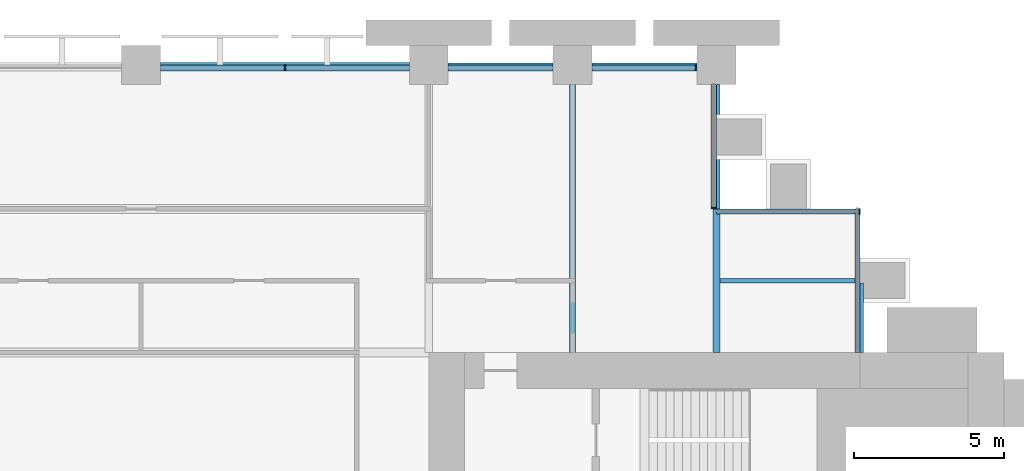
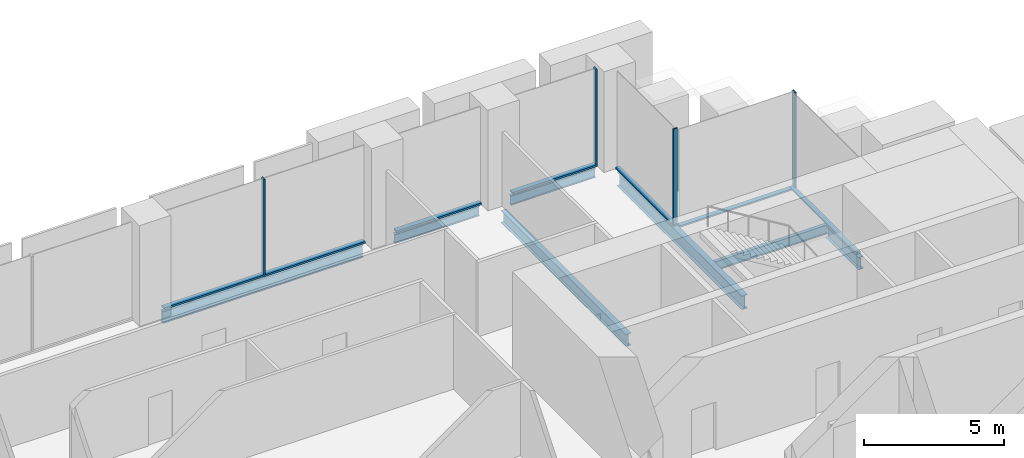
# One storey, part 7 of 14: 10 members, 7 beams, 4 elements without a shape of their own.
"""IFC4 building model written with IfcOpenShell, lengths in metres."""

from ifc_helpers import new_model, si_unit, direction, frame, origin, origin_2d, place, context, subcontext, project, spatial, rectangle, i_section, extrude, material, material_profile, profile_set, type_object, element, aggregate, save


model = new_model("IFC4")

# Units and contexts
model_context = context("Model", 3, precision=1e-05, world=origin(), true_north=direction((0.0, 1.0)))
body_context = subcontext(model_context, "Body", "Model", "MODEL_VIEW")
ifc_project = project(units=[si_unit("LENGTHUNIT", "METRE"), si_unit("AREAUNIT", "SQUARE_METRE"), si_unit("VOLUMEUNIT", "CUBIC_METRE"), si_unit("PLANEANGLEUNIT", "RADIAN"), si_unit("MASSUNIT", "GRAM", prefix="KILO")], contexts=[model_context])

# Site, building, storey
site_placement = place(None, origin())
site = spatial("IfcSite", under=ifc_project, at=site_placement, CompositionType="ELEMENT")
building_placement = place(site_placement, origin())
building = spatial("IfcBuilding", under=site, at=building_placement, Name="Baori Bourse Tower", CompositionType="ELEMENT")
storey_placement = place(building_placement, frame((0.0, 0.0, 30.199951171875)))
storey = spatial("IfcBuildingStorey", under=building, at=storey_placement, Name="L05", CompositionType="ELEMENT", Elevation=30.199951171875)

# Curtain wall, members
ifc_material_1 = material(Name="Pale anodised aluminium", Category="aluminium")
curtain_wall_type_1 = type_object("IfcCurtainWallType", Name="CW1 Curtain wall", PredefinedType="NOTDEFINED", material=ifc_material_1)
curtain_wall_1_placement = place(storey_placement, origin())
curtain_wall_1 = element("IfcCurtainWall", 1, at=curtain_wall_1_placement, inside=storey, type_object=curtain_wall_type_1, Name="Curtain wall CW1 L05 4", PredefinedType="NOTDEFINED")
ifc_material_2 = material(Name="Pale anodised aluminium", Category="aluminium")
ifc_material_profile_1 = material_profile(ifc_material_2, rectangle(XDim=0.199951171875, YDim=0.06005859375, at=origin_2d()), Name="Mullion 60x200")
ifc_profile_set_1 = profile_set([ifc_material_profile_1], Name="Pale anodised aluminium")
member_type_1 = type_object("IfcMemberType", Name="CW1 Curtain wall mullion", PredefinedType="MULLION", material=ifc_profile_set_1)
member_1_placement = place(storey_placement, frame((47.320068359375, 47.89990234375, 0.080078125), z_axis=(0.0, 0.0, 1.0), x_axis=(0.0, -1.0, 0.0)))
member_1 = element("IfcMember", 2, at=member_1_placement, type_object=member_type_1, Name="Curtain wall CW1 mullion", PredefinedType="MULLION", context=body_context, shape_type="SweptSolid", body=[
    extrude(rectangle(XDim=0.199951171875, YDim=0.06005859375, at=origin_2d()), origin(), (0.0, 0.0, 1.0), 4.159912109375),
])
member_2_placement = place(storey_placement, frame((33.60009765625, 47.89990234375, 0.080078125), z_axis=(0.0, 0.0, 1.0), x_axis=(0.0, -1.0, 0.0)))
member_2 = element("IfcMember", 3, at=member_2_placement, type_object=member_type_1, Name="Curtain wall CW1 mullion", PredefinedType="MULLION", context=body_context, shape_type="SweptSolid", body=[
    extrude(rectangle(XDim=0.199951171875, YDim=0.06005859375, at=origin_2d()), origin(), (0.0, 0.0, 1.0), 4.159912109375),
])
ifc_material_3 = material(Name="Pale anodised aluminium", Category="aluminium")
ifc_material_profile_2 = material_profile(ifc_material_3, rectangle(XDim=0.199951171875, YDim=0.080078125, at=origin_2d()), Name="Transom 80x200")
ifc_profile_set_2 = profile_set([ifc_material_profile_2], Name="Pale anodised aluminium")
member_type_2 = type_object("IfcMemberType", Name="CW1 Curtain wall transom", PredefinedType="USERDEFINED", material=ifc_profile_set_2)
member_3_placement = place(storey_placement, frame((47.35009765625, 47.89990234375, 0.0400390625), z_axis=(-1.0, 0.0, 0.0), x_axis=(0.0, -1.0, 0.0)))
member_3 = element("IfcMember", 4, at=member_3_placement, type_object=member_type_2, Name="Curtain wall CW1 sill rail", ObjectType="TRANSOM", PredefinedType="USERDEFINED", context=body_context, shape_type="SweptSolid", body=[
    extrude(rectangle(XDim=0.199951171875, YDim=0.080078125, at=origin_2d()), origin(), (0.0, 0.0, 1.0), 3.5),
])
member_4_placement = place(storey_placement, frame((42.550048828125, 47.89990234375, 0.0400390625), z_axis=(-1.0, 0.0, 0.0), x_axis=(0.0, -1.0, 0.0)))
member_4 = element("IfcMember", 5, at=member_4_placement, type_object=member_type_2, Name="Curtain wall CW1 sill rail", ObjectType="TRANSOM", PredefinedType="USERDEFINED", context=body_context, shape_type="SweptSolid", body=[
    extrude(rectangle(XDim=0.199951171875, YDim=0.080078125, at=origin_2d()), origin(), (0.0, 0.0, 1.0), 3.5),
])
member_5_placement = place(storey_placement, frame((37.75, 47.89990234375, 0.0400390625), z_axis=(-1.0, 0.0, 0.0), x_axis=(0.0, -1.0, 0.0)))
member_5 = element("IfcMember", 6, at=member_5_placement, type_object=member_type_2, Name="Curtain wall CW1 sill rail", ObjectType="TRANSOM", PredefinedType="USERDEFINED", context=body_context, shape_type="SweptSolid", body=[
    extrude(rectangle(XDim=0.199951171875, YDim=0.080078125, at=origin_2d()), origin(), (0.0, 0.0, 1.0), 8.300048828125),
])
aggregate(curtain_wall_1, [member_3, member_1, member_4, member_5, member_2])

# Curtain wall, member
ifc_material_4 = material(Name="Pale anodised aluminium", Category="aluminium")
curtain_wall_type_2 = type_object("IfcCurtainWallType", Name="CW2 Curtain wall", PredefinedType="NOTDEFINED", material=ifc_material_4)
curtain_wall_2_placement = place(storey_placement, origin())
curtain_wall_2 = element("IfcCurtainWall", 7, at=curtain_wall_2_placement, inside=storey, type_object=curtain_wall_type_2, Name="Curtain wall CW2 L05 2", PredefinedType="NOTDEFINED")
ifc_material_5 = material(Name="Pale anodised aluminium", Category="aluminium")
ifc_material_profile_3 = material_profile(ifc_material_5, rectangle(XDim=0.179931640625, YDim=0.054931640625, at=origin_2d()), Name="Mullion 55x180")
ifc_profile_set_3 = profile_set([ifc_material_profile_3], Name="Pale anodised aluminium")
member_type_3 = type_object("IfcMemberType", Name="CW2 Curtain wall mullion", PredefinedType="MULLION", material=ifc_profile_set_3)
member_6_placement = place(storey_placement, frame((52.7724609375, 43.110107421875, 0.070068359375), z_axis=(0.0, 0.0, 1.0), x_axis=(0.0, -1.0, 0.0)))
member_6 = element("IfcMember", 8, at=member_6_placement, type_object=member_type_3, Name="Curtain wall CW2 mullion", PredefinedType="MULLION", context=body_context, shape_type="SweptSolid", body=[
    extrude(rectangle(XDim=0.179931640625, YDim=0.054931640625, at=origin_2d()), origin(), (0.0, 0.0, 1.0), 4.169921875),
])

curtain_wall_3_placement = place(storey_placement, origin())
curtain_wall_3 = element("IfcCurtainWall", 9, at=curtain_wall_3_placement, inside=storey, type_object=curtain_wall_type_2, Name="Curtain wall CW2 L05 3", PredefinedType="NOTDEFINED")
member_7_placement = place(storey_placement, frame((47.909912109375, 43.2275390625, 0.070068359375), z_axis=(0.0, 0.0, 1.0), x_axis=(-1.0, 0.0, 0.0)))
member_7 = element("IfcMember", 10, at=member_7_placement, type_object=member_type_3, Name="Curtain wall CW2 mullion", PredefinedType="MULLION", context=body_context, shape_type="SweptSolid", body=[
    extrude(rectangle(XDim=0.179931640625, YDim=0.054931640625, at=origin_2d()), origin(), (0.0, 0.0, 1.0), 4.169921875),
])

curtain_wall_4_placement = place(storey_placement, origin())
curtain_wall_4 = element("IfcCurtainWall", 11, at=curtain_wall_4_placement, inside=storey, type_object=curtain_wall_type_2, Name="Curtain wall CW2 L05 1", PredefinedType="NOTDEFINED")
ifc_material_6 = material(Name="Pale anodised aluminium", Category="aluminium")
ifc_material_profile_4 = material_profile(ifc_material_6, rectangle(XDim=0.179931640625, YDim=0.070068359375, at=origin_2d()), Name="Transom 70x180")
ifc_profile_set_4 = profile_set([ifc_material_profile_4], Name="Pale anodised aluminium")
member_type_4 = type_object("IfcMemberType", Name="CW2 Curtain wall transom", PredefinedType="USERDEFINED", material=ifc_profile_set_4)
member_8_placement = place(storey_placement, frame((52.7099609375, 38.39990234375, 0.03515625), z_axis=(0.0, 1.0, 0.0), x_axis=(-1.0, 0.0, 0.0)))
member_8 = element("IfcMember", 12, at=member_8_placement, type_object=member_type_4, Name="Curtain wall CW2 sill rail", ObjectType="TRANSOM", PredefinedType="USERDEFINED", context=body_context, shape_type="SweptSolid", body=[
    extrude(rectangle(XDim=0.179931640625, YDim=0.070068359375, at=origin_2d()), origin(), (0.0, 0.0, 1.0), 4.800048828125),
])
aggregate(curtain_wall_4, [member_8])

# Member
member_9_placement = place(storey_placement, frame((52.800048828125, 43.110107421875, 0.03515625), z_axis=(-1.0, 0.0, 0.0), x_axis=(0.0, -1.0, 0.0)))
member_9 = element("IfcMember", 13, at=member_9_placement, type_object=member_type_4, Name="Curtain wall CW2 sill rail", ObjectType="TRANSOM", PredefinedType="USERDEFINED", context=body_context, shape_type="SweptSolid", body=[
    extrude(rectangle(XDim=0.179931640625, YDim=0.070068359375, at=origin_2d()), origin(), (0.0, 0.0, 1.0), 4.800048828125),
])

aggregate(curtain_wall_2, [member_9, member_6])

member_10_placement = place(storey_placement, frame((47.909912109375, 43.199951171875, 0.03515625), z_axis=(0.0, 1.0, 0.0), x_axis=(-1.0, 0.0, 0.0)))
member_10 = element("IfcMember", 14, at=member_10_placement, type_object=member_type_4, Name="Curtain wall CW2 sill rail", ObjectType="TRANSOM", PredefinedType="USERDEFINED", context=body_context, shape_type="SweptSolid", body=[
    extrude(rectangle(XDim=0.179931640625, YDim=0.070068359375, at=origin_2d()), origin(), (0.0, 0.0, 1.0), 4.150146484375),
])

aggregate(curtain_wall_3, [member_10, member_7])

# Beams
ifc_material_7 = material(Name="Steel A992 Gr 50", Category="steel")
ifc_material_profile_5 = material_profile(ifc_material_7, i_section(OverallWidth=0.21240234375, OverallDepth=0.54345703125, WebThickness=0.01318359375, FlangeThickness=0.021240234375, at=origin_2d()), Name="W21x83")
ifc_profile_set_5 = profile_set([ifc_material_profile_5], Name="Steel A992 Gr 50")
beam_type_1 = type_object("IfcBeamType", Name="Core bracket W21x83", PredefinedType="BEAM", material=ifc_profile_set_5)
beam_1_placement = place(storey_placement, frame((52.800048828125, 38.39990234375, -0.431640625), z_axis=(0.0, 1.0, 0.0), x_axis=(-1.0, 0.0, 0.0)))
element("IfcBeam", 15, at=beam_1_placement, inside=storey, type_object=beam_type_1, Name="Core bracket L05", PredefinedType="BEAM", context=body_context, shape_type="SweptSolid", body=[
    extrude(i_section(OverallWidth=0.21240234375, OverallDepth=0.54345703125, WebThickness=0.01318359375, FlangeThickness=0.021240234375, at=origin_2d()), origin(), (0.0, 0.0, 1.0), 2.329833984375),
])
ifc_material_8 = material(Name="Steel A992 Gr 50", Category="steel")
ifc_material_profile_6 = material_profile(ifc_material_8, i_section(OverallWidth=0.140380859375, OverallDepth=0.40380859375, WebThickness=0.007080078125, FlangeThickness=0.01123046875, at=origin_2d()), Name="W16x31")
ifc_profile_set_6 = profile_set([ifc_material_profile_6], Name="Steel A992 Gr 50")
beam_type_2 = type_object("IfcBeamType", Name="Edge beam W16x31", PredefinedType="BEAM", material=ifc_profile_set_6)
for number, where, z_axis, x_axis, name in (
    (16, (39.050048828125, 48.0, -0.36181640625), (1.0, 0.0, 0.0), (0.0, 1.0, 0.0), "Edge beam L05"),
    (17, (43.85009765625, 48.0, -0.36181640625), (1.0, 0.0, 0.0), (0.0, 1.0, 0.0), "Edge beam L05"),
):
    element("IfcBeam", number, at=place(storey_placement, frame(where, z_axis=z_axis, x_axis=x_axis)), inside=storey, type_object=beam_type_2, Name=name, PredefinedType="BEAM", context=body_context, shape_type="SweptSolid", body=[
        extrude(i_section(OverallWidth=0.140380859375, OverallDepth=0.40380859375, WebThickness=0.007080078125, FlangeThickness=0.01123046875, at=origin_2d()), origin(), (0.0, 0.0, 1.0), 3.5),
    ])
ifc_material_9 = material(Name="Steel A992 Gr 50", Category="steel")
ifc_material_profile_7 = material_profile(ifc_material_9, i_section(OverallWidth=0.1650390625, OverallDepth=0.52587890625, WebThickness=0.0087890625, FlangeThickness=0.011474609375, at=origin_2d()), Name="W21x44")
ifc_profile_set_7 = profile_set([ifc_material_profile_7], Name="Steel A992 Gr 50")
beam_type_3 = type_object("IfcBeamType", Name="Edge beam W21x44", PredefinedType="BEAM", material=ifc_profile_set_7)
beam_2_placement = place(storey_placement, frame((29.449951171875, 48.0, -0.4228515625), z_axis=(1.0, 0.0, 0.0), x_axis=(0.0, 1.0, 0.0)))
element("IfcBeam", 18, at=beam_2_placement, inside=storey, type_object=beam_type_3, Name="Edge beam L05", PredefinedType="BEAM", context=body_context, shape_type="SweptSolid", body=[
    extrude(i_section(OverallWidth=0.1650390625, OverallDepth=0.52587890625, WebThickness=0.0087890625, FlangeThickness=0.011474609375, at=origin_2d()), origin(), (0.0, 0.0, 1.0), 8.300048828125),
])
ifc_material_10 = material(Name="Steel A992 Gr 50", Category="steel")
ifc_material_profile_8 = material_profile(ifc_material_10, i_section(OverallWidth=0.209228515625, OverallDepth=0.533447265625, WebThickness=0.01025390625, FlangeThickness=0.015625, at=origin_2d()), Name="W21x62")
ifc_profile_set_8 = profile_set([ifc_material_profile_8], Name="Steel A992 Gr 50")
beam_type_4 = type_object("IfcBeamType", Name="Floor beam W21x62", PredefinedType="BEAM", material=ifc_profile_set_8)
beam_3_placement = place(storey_placement, frame((43.199951171875, 38.39990234375, -0.4267578125), z_axis=(0.0, 1.0, 0.0), x_axis=(-1.0, 0.0, 0.0)))
element("IfcBeam", 19, at=beam_3_placement, inside=storey, type_object=beam_type_4, Name="Floor beam L05", PredefinedType="BEAM", context=body_context, shape_type="SweptSolid", body=[
    extrude(i_section(OverallWidth=0.209228515625, OverallDepth=0.533447265625, WebThickness=0.01025390625, FlangeThickness=0.015625, at=origin_2d()), origin(), (0.0, 0.0, 1.0), 8.9501953125),
])
ifc_material_11 = material(Name="Steel A992 Gr 50", Category="steel")
ifc_material_profile_9 = material_profile(ifc_material_11, i_section(OverallWidth=0.227783203125, OverallDepth=0.60205078125, WebThickness=0.010498046875, FlangeThickness=0.014892578125, at=origin_2d()), Name="W24x68")
ifc_profile_set_9 = profile_set([ifc_material_profile_9], Name="Steel A992 Gr 50")
beam_type_5 = type_object("IfcBeamType", Name="Floor beam W24x68", PredefinedType="BEAM", material=ifc_profile_set_9)
beam_4_placement = place(storey_placement, frame((48.0, 38.39990234375, -0.4609375), z_axis=(0.0, 1.0, 0.0), x_axis=(-1.0, 0.0, 0.0)))
element("IfcBeam", 20, at=beam_4_placement, inside=storey, type_object=beam_type_5, Name="Floor beam L05", PredefinedType="BEAM", context=body_context, shape_type="SweptSolid", body=[
    extrude(i_section(OverallWidth=0.227783203125, OverallDepth=0.60205078125, WebThickness=0.010498046875, FlangeThickness=0.014892578125, at=origin_2d()), origin(), (0.0, 0.0, 1.0), 8.9501953125),
])
ifc_material_12 = material(Name="Steel A992 Gr 50", Category="steel")
ifc_material_profile_10 = material_profile(ifc_material_12, i_section(OverallWidth=0.140380859375, OverallDepth=0.40380859375, WebThickness=0.007080078125, FlangeThickness=0.01123046875, at=origin_2d()), Name="W16x31")
ifc_profile_set_10 = profile_set([ifc_material_profile_10], Name="Steel A992 Gr 50")
beam_type_6 = type_object("IfcBeamType", Name="Trimmer beam W16x31", PredefinedType="BEAM", material=ifc_profile_set_10)
beam_5_placement = place(storey_placement, frame((48.114013671875, 40.800048828125, -0.36181640625), z_axis=(1.0, 0.0, 0.0), x_axis=(0.0, 1.0, 0.0)))
element("IfcBeam", 21, at=beam_5_placement, inside=storey, type_object=beam_type_6, Name="Trimmer beam L05", PredefinedType="BEAM", context=body_context, shape_type="SweptSolid", body=[
    extrude(i_section(OverallWidth=0.140380859375, OverallDepth=0.40380859375, WebThickness=0.007080078125, FlangeThickness=0.01123046875, at=origin_2d()), origin(), (0.0, 0.0, 1.0), 4.68603515625),
])

save(model, "model.ifc")
